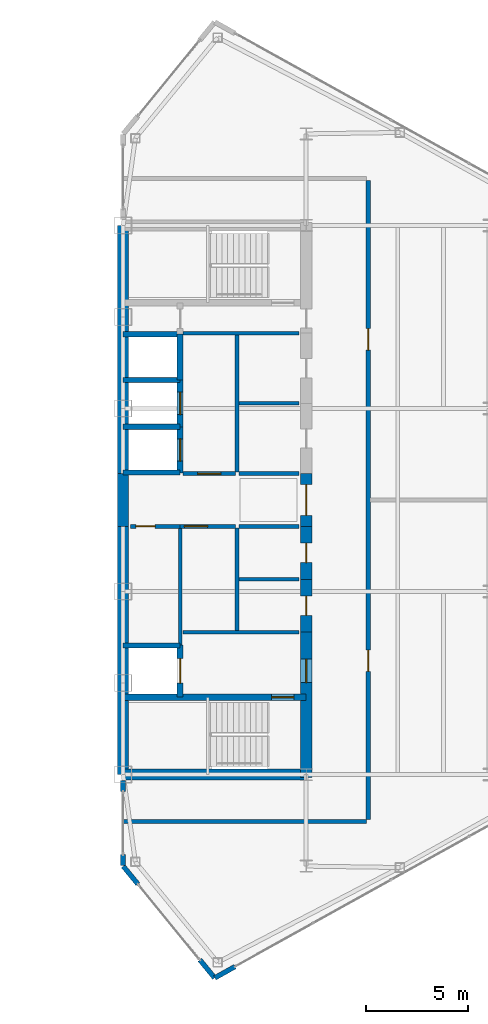
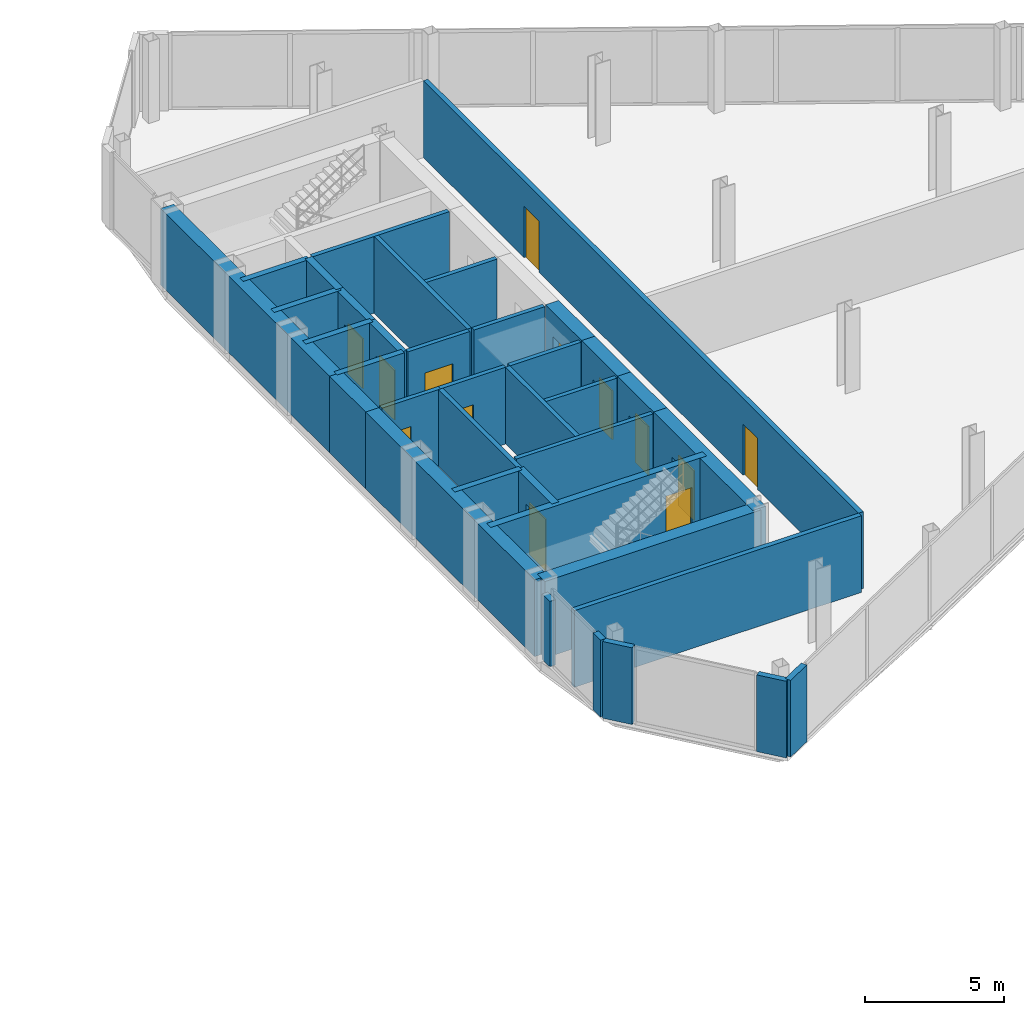
# One storey, part 22 of 26: 37 walls, 13 doors, 13 openings.
"""IFC4 building model written with IfcOpenShell, lengths in metres."""

from ifc_helpers import new_model, si_unit, direction, frame, frame_2d, origin, place, context, subcontext, project, spatial, rectangle, extrude, source, transform, mapped, material, layer, layer_set, type_object, type_shapes, element, fill, save


model = new_model("IFC4")

# Units and contexts
model_context = context("Model", 3, precision=1e-05, world=origin(), true_north=direction((0.0, 1.0)))
body_context = subcontext(model_context, "Body", "Model", "MODEL_VIEW")
ifc_project = project(units=[si_unit("LENGTHUNIT", "METRE"), si_unit("AREAUNIT", "SQUARE_METRE"), si_unit("VOLUMEUNIT", "CUBIC_METRE"), si_unit("PLANEANGLEUNIT", "RADIAN"), si_unit("MASSUNIT", "GRAM", prefix="KILO")], contexts=[model_context])

# Site, building, storey
site_placement = place(None, origin())
site = spatial("IfcSite", under=ifc_project, at=site_placement, CompositionType="ELEMENT")
building_placement = place(site_placement, origin())
building = spatial("IfcBuilding", under=site, at=building_placement, Name="Seokmaru Belvedere", CompositionType="ELEMENT")
storey_placement = place(building_placement, frame((0.0, 0.0, 177.89990234375)))
storey = spatial("IfcBuildingStorey", under=building, at=storey_placement, Name="L47", CompositionType="ELEMENT", Elevation=177.89990234375)

# Walls
ifc_material_1 = material(Name="Fire-Rated Gypsum Shaftwall")
ifc_layer_1 = layer(ifc_material_1, 0.179931640625)
ifc_layer_set_1 = layer_set([ifc_layer_1], Name="Fire-Rated Gypsum Shaftwall")
wall_type_1 = type_object("IfcWallType", Name="Core Service Fire Partition 180", PredefinedType="PARTITIONING", material=ifc_layer_set_1)
for number, where, z_axis, x_axis, name in (
    (1, (30.449951171875, -6.5, 0.0), (0.0, 0.0, 1.0), (1.0, 0.0, 0.0), "L47 East Firefighting Lobby Partition"),
    (2, (30.449951171875, 8.199951171875, 0.0), (0.0, 0.0, 1.0), (1.0, 0.0, 0.0), "L47 East Smokeproof Vestibule Partition"),
):
    element("IfcWall", number, at=place(storey_placement, frame(where, z_axis=z_axis, x_axis=x_axis)), inside=storey, type_object=wall_type_1, Name=name, PredefinedType="PARTITIONING", context=body_context, shape_type="SweptSolid", body=[
        extrude(rectangle(XDim=5.699951171875, YDim=0.179931640625, at=frame_2d((2.85009765625, 0.0))), origin(), (0.0, 0.0, 1.0), 3.380126953125),
    ])
wall_1_placement = place(storey_placement, frame((33.10009765625, -6.419921875, 0.0), z_axis=(0.0, 0.0, 1.0), x_axis=(0.0, 1.0, 0.0)))
element("IfcWall", 3, at=wall_1_placement, inside=storey, type_object=wall_type_1, Name="L47 East South Core Service Back Wall", PredefinedType="PARTITIONING", context=body_context, shape_type="SweptSolid", body=[
    extrude(rectangle(XDim=5.0400390625, YDim=0.179931640625, at=frame_2d((2.52001953125, 0.0))), origin(), (0.0, 0.0, 1.0), 3.380126953125),
])
wall_2_placement = place(storey_placement, frame((33.10009765625, 1.3798828125, 0.0), z_axis=(0.0, 0.0, 1.0), x_axis=(0.0, 1.0, 0.0)))
element("IfcWall", 4, at=wall_2_placement, inside=storey, type_object=wall_type_1, Name="L47 East North Core Service Back Wall", PredefinedType="PARTITIONING", context=body_context, shape_type="SweptSolid", body=[
    extrude(rectangle(XDim=6.740234375, YDim=0.179931640625, at=frame_2d((3.3701171875, 0.0))), origin(), (0.0, 0.0, 1.0), 3.380126953125),
])

# Wall, opening, door
wall_3_placement = place(storey_placement, frame((27.85009765625, -1.300048828125, 0.0), z_axis=(0.0, 0.0, 1.0), x_axis=(1.0, 0.0, 0.0)))
wall_3 = element("IfcWall", 5, at=wall_3_placement, inside=storey, type_object=wall_type_1, Name="L47 East South Parcel Vault Foyer Wall", PredefinedType="PARTITIONING", context=body_context, shape_type="SweptSolid", body=[
    extrude(rectangle(XDim=2.449951171875, YDim=0.179931640625, at=frame_2d((1.22509765625, 0.0))), origin(), (0.0, 0.0, 1.0), 3.380126953125),
])
opening_1_placement = place(wall_3_placement, frame((0.27490234375, 0.0, 0.0)))
opening_1 = element("IfcOpeningElement", 6, at=opening_1_placement, cuts=wall_3, Name="Opening D04", PredefinedType="OPENING", context=body_context, shape_type="SweptSolid", body=[
    extrude(rectangle(XDim=0.949951171875, YDim=2.14990234375, at=frame_2d((0.47509765625, 1.074951171875))), frame((0.0, 0.10009765625, 0.0), z_axis=(0.0, -1.0, 0.0), x_axis=(1.0, 0.0, 0.0)), (0.0, 0.0, 1.0), 0.199951171875),
])
ifc_material_2 = material(Name="Fire-Rated Steel Leaf", Category="steel")
door_type_1 = type_object("IfcDoorType", Name="Core Service Room Fire Door 950x2150", OperationType="NOTDEFINED", PredefinedType="DOOR", material=ifc_material_2)
shared_shape_1 = source(origin(), body_context, "Body", "SweptSolid", [
    extrude(rectangle(XDim=0.949951171875, YDim=2.14990234375, at=frame_2d((0.47509765625, 1.074951171875))), frame((0.0, 0.02490234375, 0.0), z_axis=(0.0, -1.0, 0.0), x_axis=(1.0, 0.0, 0.0)), (0.0, 0.0, 1.0), 0.050048828125),
])
type_shapes(door_type_1, [shared_shape_1])
door_1_placement = place(opening_1_placement, origin())
door_1 = element("IfcDoor", 7, at=door_1_placement, inside=storey, type_object=door_type_1, Name="L47 East South Parcel Vault Door", OperationType="SINGLE_SWING_RIGHT", OverallHeight=2.14990234375, OverallWidth=0.949951171875, PredefinedType="DOOR", context=body_context, shape_type="MappedRepresentation", body=[
    mapped(shared_shape_1, transform((0.0, 0.0, 0.0), scale=1.0)),
])
fill(opening_1, door_1)

wall_4_placement = place(storey_placement, frame((30.300048828125, -1.300048828125, 0.0), z_axis=(0.0, 0.0, 1.0), x_axis=(1.0, 0.0, 0.0)))
wall_4 = element("IfcWall", 8, at=wall_4_placement, inside=storey, type_object=wall_type_1, Name="L47 East South Wine Cellar Foyer Wall", PredefinedType="PARTITIONING", context=body_context, shape_type="SweptSolid", body=[
    extrude(rectangle(XDim=2.719970703125, YDim=0.179931640625, at=frame_2d((1.35986328125, 0.0))), origin(), (0.0, 0.0, 1.0), 3.380126953125),
])
opening_2_placement = place(wall_4_placement, frame((0.2099609375, 0.0, 0.0)))
opening_2 = element("IfcOpeningElement", 9, at=opening_2_placement, cuts=wall_4, Name="Opening D02", PredefinedType="OPENING", context=body_context, shape_type="SweptSolid", body=[
    extrude(rectangle(XDim=1.14990234375, YDim=2.199951171875, at=frame_2d((0.574951171875, 1.10009765625))), frame((0.0, 0.10009765625, 0.0), z_axis=(0.0, -1.0, 0.0), x_axis=(1.0, 0.0, 0.0)), (0.0, 0.0, 1.0), 0.199951171875),
])
door_type_2 = type_object("IfcDoorType", Name="Lobby and Vestibule Fire Door 1150x2200", OperationType="NOTDEFINED", PredefinedType="DOOR", material=ifc_material_2)
shared_shape_2 = source(origin(), body_context, "Body", "SweptSolid", [
    extrude(rectangle(XDim=1.14990234375, YDim=2.199951171875, at=frame_2d((0.574951171875, 1.10009765625))), frame((0.0, 0.02490234375, 0.0), z_axis=(0.0, -1.0, 0.0), x_axis=(1.0, 0.0, 0.0)), (0.0, 0.0, 1.0), 0.050048828125),
])
type_shapes(door_type_2, [shared_shape_2])
door_2_placement = place(opening_2_placement, origin())
door_2 = element("IfcDoor", 10, at=door_2_placement, inside=storey, type_object=door_type_2, Name="L47 East South Core Foyer Door", OperationType="SINGLE_SWING_RIGHT", OverallHeight=2.199951171875, OverallWidth=1.14990234375, PredefinedType="DOOR", context=body_context, shape_type="MappedRepresentation", body=[
    mapped(shared_shape_2, transform((0.0, 0.0, 0.0), scale=1.0)),
])
fill(opening_2, door_2)

# Wall
wall_5_placement = place(storey_placement, frame((30.300048828125, -7.1201171875, 0.0), z_axis=(0.0, 0.0, 1.0), x_axis=(0.0, 1.0, 0.0)))
element("IfcWall", 11, at=wall_5_placement, inside=storey, type_object=wall_type_1, Name="L47 East Freed Shaft Vault Partition", PredefinedType="PARTITIONING", context=body_context, shape_type="SweptSolid", body=[
    extrude(rectangle(XDim=5.740234375, YDim=0.179931640625, at=frame_2d((2.8701171875, 0.0))), origin(), (0.0, 0.0, 1.0), 3.380126953125),
])

# Wall, opening, door
wall_6_placement = place(storey_placement, frame((30.449951171875, 1.300048828125, 0.0), z_axis=(0.0, 0.0, 1.0), x_axis=(1.0, 0.0, 0.0)))
wall_6 = element("IfcWall", 12, at=wall_6_placement, inside=storey, type_object=wall_type_1, Name="L47 East North Lift Lobby Foyer Wall", PredefinedType="PARTITIONING", context=body_context, shape_type="SweptSolid", body=[
    extrude(rectangle(XDim=2.570068359375, YDim=0.179931640625, at=frame_2d((1.28515625, 0.0))), origin(), (0.0, 0.0, 1.0), 3.380126953125),
])
opening_3_placement = place(wall_6_placement, frame((0.7099609375, 0.0, 0.0)))
opening_3 = element("IfcOpeningElement", 13, at=opening_3_placement, cuts=wall_6, Name="Opening D02", PredefinedType="OPENING", context=body_context, shape_type="SweptSolid", body=[
    extrude(rectangle(XDim=1.14990234375, YDim=2.199951171875, at=frame_2d((0.574951171875, 1.10009765625))), frame((0.0, 0.10009765625, 0.0), z_axis=(0.0, -1.0, 0.0), x_axis=(1.0, 0.0, 0.0)), (0.0, 0.0, 1.0), 0.199951171875),
])
door_3_placement = place(opening_3_placement, origin())
door_3 = element("IfcDoor", 14, at=door_3_placement, inside=storey, type_object=door_type_2, Name="L47 East North Lift Lobby Door", OperationType="SINGLE_SWING_LEFT", OverallHeight=2.199951171875, OverallWidth=1.14990234375, PredefinedType="DOOR", context=body_context, shape_type="MappedRepresentation", body=[
    mapped(shared_shape_2, transform((0.0, 0.0, 0.0), scale=1.0)),
])
fill(opening_3, door_3)

# Walls
for number, where, z_axis, x_axis, name in (
    (15, (33.199951171875, -1.300048828125, 0.0), (0.0, 0.0, 1.0), (1.0, 0.0, 0.0), "L47 East Foyer Side Wall S"),
    (16, (33.199951171875, 1.300048828125, 0.0), (0.0, 0.0, 1.0), (1.0, 0.0, 0.0), "L47 East Foyer Side Wall N"),
    (17, (33.199951171875, -3.89990234375, 0.0), (0.0, 0.0, 1.0), (1.0, 0.0, 0.0), "L47 East Core Service Partition 1"),
    (18, (33.199951171875, 4.75, 0.0), (0.0, 0.0, 1.0), (1.0, 0.0, 0.0), "L47 East Core Service Partition 2"),
):
    element("IfcWall", number, at=place(storey_placement, frame(where, z_axis=z_axis, x_axis=x_axis)), inside=storey, type_object=wall_type_1, Name=name, PredefinedType="PARTITIONING", context=body_context, shape_type="SweptSolid", body=[
        extrude(rectangle(XDim=2.949951171875, YDim=0.179931640625, at=frame_2d((1.47509765625, 0.0))), origin(), (0.0, 0.0, 1.0), 3.380126953125),
    ])
ifc_material_3 = material(Name="Concrete C50 (50 MPa)", Category="concrete")
ifc_layer_2 = layer(ifc_material_3, 0.25)
ifc_layer_set_2 = layer_set([ifc_layer_2], Name="Concrete C50 (50 MPa)")
wall_type_2 = type_object("IfcWallType", Name="Hoistway Transverse Concrete Divider Wall 250", PredefinedType="SHEAR", material=ifc_layer_set_2)
for number, where, z_axis, x_axis, name in (
    (19, (27.5, -7.14990234375, 0.0), (0.0, 0.0, 1.0), (1.0, 0.0, 0.0), "L47 East Hoistway Divider Core Wall 1"),
    (20, (27.5, 1.35009765625, 0.0), (0.0, 0.0, 1.0), (1.0, 0.0, 0.0), "L47 East Hoistway Divider Core Wall 2"),
    (21, (27.5, 3.60009765625, 0.0), (0.0, 0.0, 1.0), (1.0, 0.0, 0.0), "L47 East Hoistway Divider Core Wall 3"),
    (22, (27.5, 5.89990234375, 0.0), (0.0, 0.0, 1.0), (1.0, 0.0, 0.0), "L47 East Hoistway Divider Core Wall 4"),
    (23, (27.5, 8.14990234375, 0.0), (0.0, 0.0, 1.0), (1.0, 0.0, 0.0), "L47 East Hoistway Divider Core Wall 5"),
):
    element("IfcWall", number, at=place(storey_placement, frame(where, z_axis=z_axis, x_axis=x_axis)), inside=storey, type_object=wall_type_2, Name=name, PredefinedType="SHEAR", context=body_context, shape_type="SweptSolid", body=[
        extrude(rectangle(XDim=2.800048828125, YDim=0.25, at=frame_2d((1.39990234375, 0.0))), origin(), (0.0, 0.0, 1.0), 3.380126953125),
    ])
ifc_layer_3 = layer(ifc_material_1, 0.199951171875)
ifc_layer_set_3 = layer_set([ifc_layer_3], Name="Fire-Rated Gypsum Shaftwall")
wall_type_3 = type_object("IfcWallType", Name="Inter-Tenancy Fire Compartment Partition 200", PredefinedType="PARTITIONING", material=ifc_layer_set_3)
wall_7_placement = place(storey_placement, frame((27.5, -15.800048828125, 0.0), z_axis=(0.0, 0.0, 1.0), x_axis=(1.0, 0.0, 0.0)))
element("IfcWall", 24, at=wall_7_placement, inside=storey, type_object=wall_type_3, Name="L47 Interior Partition 003", PredefinedType="PARTITIONING", context=body_context, shape_type="SweptSolid", body=[
    extrude(rectangle(XDim=11.965087890625, YDim=0.199951171875, at=frame_2d((5.982421875, 0.0))), origin(), (0.0, 0.0, 1.0), 3.380126953125),
])

# Wall, openings, doors
wall_8_placement = place(storey_placement, frame((39.550048828125, -15.715087890625, 0.0), z_axis=(0.0, 0.0, 1.0), x_axis=(0.0, 1.0, 0.0)))
wall_8 = element("IfcWall", 25, at=wall_8_placement, inside=storey, type_object=wall_type_3, Name="L47 Interior Partition 024", PredefinedType="PARTITIONING", context=body_context, shape_type="SweptSolid", body=[
    extrude(rectangle(XDim=31.43017578125, YDim=0.199951171875, at=frame_2d((15.715087890625, 0.0))), origin(), (0.0, 0.0, 1.0), 3.380126953125),
])
opening_4_placement = place(wall_8_placement, frame((7.2900390625, 0.0, 0.0)))
opening_4 = element("IfcOpeningElement", 26, at=opening_4_placement, cuts=wall_8, Name="Opening D03", PredefinedType="OPENING", context=body_context, shape_type="SweptSolid", body=[
    extrude(rectangle(XDim=1.050048828125, YDim=2.25, at=frame_2d((0.52490234375, 1.125))), frame((0.0, 0.10986328125, 0.0), z_axis=(0.0, -1.0, 0.0), x_axis=(1.0, 0.0, 0.0)), (0.0, 0.0, 1.0), 0.219970703125),
])
opening_5_placement = place(wall_8_placement, frame((23.090087890625, 0.0, 0.0)))
opening_5 = element("IfcOpeningElement", 27, at=opening_5_placement, cuts=wall_8, Name="Opening D03", PredefinedType="OPENING", context=body_context, shape_type="SweptSolid", body=[
    extrude(rectangle(XDim=1.050048828125, YDim=2.25, at=frame_2d((0.52490234375, 1.125))), frame((0.0, 0.10986328125, 0.0), z_axis=(0.0, -1.0, 0.0), x_axis=(1.0, 0.0, 0.0)), (0.0, 0.0, 1.0), 0.219970703125),
])
door_type_3 = type_object("IfcDoorType", Name="Apartment Entrance Fire Door 1050x2250", OperationType="NOTDEFINED", PredefinedType="DOOR", material=ifc_material_2)
shared_shape_3 = source(origin(), body_context, "Body", "SweptSolid", [
    extrude(rectangle(XDim=1.050048828125, YDim=2.25, at=frame_2d((0.52490234375, 1.125))), frame((0.0, 0.02490234375, 0.0), z_axis=(0.0, -1.0, 0.0), x_axis=(1.0, 0.0, 0.0)), (0.0, 0.0, 1.0), 0.050048828125),
])
type_shapes(door_type_3, [shared_shape_3])
door_4_placement = place(opening_4_placement, origin())
door_4 = element("IfcDoor", 28, at=door_4_placement, inside=storey, type_object=door_type_3, Name="L47 Interior Door 020", OperationType="SINGLE_SWING_LEFT", OverallHeight=2.25, OverallWidth=1.050048828125, PredefinedType="DOOR", context=body_context, shape_type="MappedRepresentation", body=[
    mapped(shared_shape_3, transform((0.0, 0.0, 0.0), scale=1.0)),
])
fill(opening_4, door_4)
door_5_placement = place(opening_5_placement, origin())
door_5 = element("IfcDoor", 29, at=door_5_placement, inside=storey, type_object=door_type_3, Name="L47 Interior Door 021", OperationType="SINGLE_SWING_RIGHT", OverallHeight=2.25, OverallWidth=1.050048828125, PredefinedType="DOOR", context=body_context, shape_type="MappedRepresentation", body=[
    mapped(shared_shape_3, transform((0.0, 0.0, 0.0), scale=1.0)),
])
fill(opening_5, door_5)

# Wall, opening, door
ifc_layer_4 = layer(ifc_material_3, 0.300048828125)
ifc_layer_set_4 = layer_set([ifc_layer_4], Name="Concrete C50 (50 MPa)")
wall_type_4 = type_object("IfcWallType", Name="Internal Core Stair and Hoistway Wall 300", PredefinedType="SHEAR", material=ifc_layer_set_4)
wall_9_placement = place(storey_placement, frame((27.5, -9.699951171875, 0.0), z_axis=(0.0, 0.0, 1.0), x_axis=(1.0, 0.0, 0.0)))
wall_9 = element("IfcWall", 30, at=wall_9_placement, inside=storey, type_object=wall_type_4, Name="L47 East Stair ST-1 Enclosure Wall", PredefinedType="SHEAR", context=body_context, shape_type="SweptSolid", body=[
    extrude(rectangle(XDim=9.0, YDim=0.300048828125, at=frame_2d((4.5, 0.0))), origin(), (0.0, 0.0, 1.0), 3.380126953125),
])
opening_6_placement = place(wall_9_placement, frame((7.300048828125, 0.0, 0.0)))
opening_6 = element("IfcOpeningElement", 31, at=opening_6_placement, cuts=wall_9, Name="Opening D01", PredefinedType="OPENING", context=body_context, shape_type="SweptSolid", body=[
    extrude(rectangle(XDim=1.10009765625, YDim=2.199951171875, at=frame_2d((0.550048828125, 1.10009765625))), frame((0.0, 0.16015625, 0.0), z_axis=(0.0, -1.0, 0.0), x_axis=(1.0, 0.0, 0.0)), (0.0, 0.0, 1.0), 0.320068359375),
])
door_type_4 = type_object("IfcDoorType", Name="Special Escape Stair Smokeproof Fire Door 1100x2200", OperationType="NOTDEFINED", PredefinedType="DOOR", material=ifc_material_2)
shared_shape_4 = source(origin(), body_context, "Body", "SweptSolid", [
    extrude(rectangle(XDim=1.10009765625, YDim=2.199951171875, at=frame_2d((0.550048828125, 1.10009765625))), frame((0.0, 0.02490234375, 0.0), z_axis=(0.0, -1.0, 0.0), x_axis=(1.0, 0.0, 0.0)), (0.0, 0.0, 1.0), 0.050048828125),
])
type_shapes(door_type_4, [shared_shape_4])
door_6_placement = place(opening_6_placement, frame((1.10009765625, 0.0, 0.0), z_axis=(0.0, 0.0, 1.0), x_axis=(-1.0, 0.0, 0.0)))
door_6 = element("IfcDoor", 32, at=door_6_placement, inside=storey, type_object=door_type_4, Name="L47 East Special Escape Stair ST-1 Door", OperationType="SINGLE_SWING_RIGHT", OverallHeight=2.199951171875, OverallWidth=1.10009765625, PredefinedType="DOOR", context=body_context, shape_type="MappedRepresentation", body=[
    mapped(shared_shape_4, transform((0.0, 0.0, 0.0), scale=1.0)),
])
fill(opening_6, door_6)

wall_10_placement = place(storey_placement, frame((30.300048828125, -9.679931640625, 0.0), z_axis=(0.0, 0.0, 1.0), x_axis=(0.0, 1.0, 0.0)))
wall_10 = element("IfcWall", 33, at=wall_10_placement, inside=storey, type_object=wall_type_4, Name="L47 East Firefighting Lift Shaft Front Wall", PredefinedType="SHEAR", context=body_context, shape_type="SweptSolid", body=[
    extrude(rectangle(XDim=2.559814453125, YDim=0.300048828125, at=frame_2d((1.27978515625, 0.0))), origin(), (0.0, 0.0, 1.0), 3.380126953125),
])
opening_7_placement = place(wall_10_placement, frame((0.679931640625, 0.0, 0.0)))
opening_7 = element("IfcOpeningElement", 34, at=opening_7_placement, cuts=wall_10, Name="Opening LD2", PredefinedType="OPENING", context=body_context, shape_type="SweptSolid", body=[
    extrude(rectangle(XDim=1.199951171875, YDim=2.25, at=frame_2d((0.60009765625, 1.125))), frame((0.0, 0.16015625, 0.0), z_axis=(0.0, -1.0, 0.0), x_axis=(1.0, 0.0, 0.0)), (0.0, 0.0, 1.0), 0.320068359375),
])
ifc_material_4 = material(Name="Stainless Steel 316", Category="steel")
door_type_5 = type_object("IfcDoorType", Name="Firefighting Lift Sliding Landing Door 1200x2250", OperationType="DOUBLE_DOOR_SLIDING", PredefinedType="DOOR", material=ifc_material_4)
shared_shape_5 = source(origin(), body_context, "Body", "SweptSolid", [
    extrude(rectangle(XDim=1.199951171875, YDim=2.25, at=frame_2d((0.60009765625, 1.125))), frame((0.0, 0.02490234375, 0.0), z_axis=(0.0, -1.0, 0.0), x_axis=(1.0, 0.0, 0.0)), (0.0, 0.0, 1.0), 0.050048828125),
])
type_shapes(door_type_5, [shared_shape_5])
door_7_placement = place(opening_7_placement, origin())
door_7 = element("IfcDoor", 35, at=door_7_placement, inside=storey, type_object=door_type_5, Name="L47 East Firefighting Lift Landing Door", OperationType="DOUBLE_DOOR_SLIDING", OverallHeight=2.25, OverallWidth=1.199951171875, PredefinedType="DOOR", context=body_context, shape_type="MappedRepresentation", body=[
    mapped(shared_shape_5, transform((0.0, 0.0, 0.0), scale=1.0)),
])
fill(opening_7, door_7)

wall_11_placement = place(storey_placement, frame((30.300048828125, 1.320068359375, 0.0), z_axis=(0.0, 0.0, 1.0), x_axis=(0.0, 1.0, 0.0)))
wall_11 = element("IfcWall", 36, at=wall_11_placement, inside=storey, type_object=wall_type_4, Name="L47 East North Hoistway Wall PH1", PredefinedType="SHEAR", context=body_context, shape_type="SweptSolid", body=[
    extrude(rectangle(XDim=2.280029296875, YDim=0.300048828125, at=frame_2d((1.14013671875, 0.0))), origin(), (0.0, 0.0, 1.0), 3.380126953125),
])
opening_8_placement = place(wall_11_placement, frame((0.590087890625, 0.0, 0.0)))
opening_8 = element("IfcOpeningElement", 37, at=opening_8_placement, cuts=wall_11, Name="Opening LD1", PredefinedType="OPENING", context=body_context, shape_type="SweptSolid", body=[
    extrude(rectangle(XDim=1.10009765625, YDim=2.199951171875, at=frame_2d((0.550048828125, 1.10009765625))), frame((0.0, 0.16015625, 0.0), z_axis=(0.0, -1.0, 0.0), x_axis=(1.0, 0.0, 0.0)), (0.0, 0.0, 1.0), 0.320068359375),
])
door_type_6 = type_object("IfcDoorType", Name="Passenger Lift Sliding Landing Door 1100x2200", OperationType="DOUBLE_DOOR_SLIDING", PredefinedType="DOOR", material=ifc_material_4)
shared_shape_6 = source(origin(), body_context, "Body", "SweptSolid", [
    extrude(rectangle(XDim=1.10009765625, YDim=2.199951171875, at=frame_2d((0.550048828125, 1.10009765625))), frame((0.0, 0.02490234375, 0.0), z_axis=(0.0, -1.0, 0.0), x_axis=(1.0, 0.0, 0.0)), (0.0, 0.0, 1.0), 0.050048828125),
])
type_shapes(door_type_6, [shared_shape_6])
door_8_placement = place(opening_8_placement, origin())
door_8 = element("IfcDoor", 38, at=door_8_placement, inside=storey, type_object=door_type_6, Name="L47 East High-Rise Lift PH-1 Landing Door", OperationType="DOUBLE_DOOR_SLIDING", OverallHeight=2.199951171875, OverallWidth=1.10009765625, PredefinedType="DOOR", context=body_context, shape_type="MappedRepresentation", body=[
    mapped(shared_shape_6, transform((0.0, 0.0, 0.0), scale=1.0)),
])
fill(opening_8, door_8)

wall_12_placement = place(storey_placement, frame((30.300048828125, 3.60009765625, 0.0), z_axis=(0.0, 0.0, 1.0), x_axis=(0.0, 1.0, 0.0)))
wall_12 = element("IfcWall", 39, at=wall_12_placement, inside=storey, type_object=wall_type_4, Name="L47 East North Hoistway Wall PH2", PredefinedType="SHEAR", context=body_context, shape_type="SweptSolid", body=[
    extrude(rectangle(XDim=2.2998046875, YDim=0.300048828125, at=frame_2d((1.14990234375, 0.0))), origin(), (0.0, 0.0, 1.0), 3.380126953125),
])
opening_9_placement = place(wall_12_placement, frame((0.60009765625, 0.0, 0.0)))
opening_9 = element("IfcOpeningElement", 40, at=opening_9_placement, cuts=wall_12, Name="Opening LD1", PredefinedType="OPENING", context=body_context, shape_type="SweptSolid", body=[
    extrude(rectangle(XDim=1.10009765625, YDim=2.199951171875, at=frame_2d((0.550048828125, 1.10009765625))), frame((0.0, 0.16015625, 0.0), z_axis=(0.0, -1.0, 0.0), x_axis=(1.0, 0.0, 0.0)), (0.0, 0.0, 1.0), 0.320068359375),
])
door_9_placement = place(opening_9_placement, origin())
door_9 = element("IfcDoor", 41, at=door_9_placement, inside=storey, type_object=door_type_6, Name="L47 East High-Rise Lift PH-2 Landing Door", OperationType="DOUBLE_DOOR_SLIDING", OverallHeight=2.199951171875, OverallWidth=1.10009765625, PredefinedType="DOOR", context=body_context, shape_type="MappedRepresentation", body=[
    mapped(shared_shape_6, transform((0.0, 0.0, 0.0), scale=1.0)),
])
fill(opening_9, door_9)

# Walls
wall_13_placement = place(storey_placement, frame((30.300048828125, 5.89990234375, 0.0), z_axis=(0.0, 0.0, 1.0), x_axis=(0.0, 1.0, 0.0)))
element("IfcWall", 42, at=wall_13_placement, inside=storey, type_object=wall_type_4, Name="L47 East North Hoistway Wall OBS", PredefinedType="SHEAR", context=body_context, shape_type="SweptSolid", body=[
    extrude(rectangle(XDim=2.25, YDim=0.300048828125, at=frame_2d((1.125, 0.0))), origin(), (0.0, 0.0, 1.0), 3.380126953125),
])
ifc_layer_5 = layer(ifc_material_3, 0.550048828125)
ifc_layer_set_5 = layer_set([ifc_layer_5], Name="Concrete C50 (50 MPa)")
wall_type_5 = type_object("IfcWallType", Name="Mid-High Reinforced Concrete Core Wall 550", PredefinedType="SHEAR", material=ifc_layer_set_5)
for number, where, z_axis, x_axis, name in (
    (43, (27.5, -13.5, 0.0), (0.0, 0.0, 1.0), (0.0, 1.0, 0.0), "L47 East Portal Spine Core Wall South"),
    (44, (27.5, 1.300048828125, 0.0), (0.0, 0.0, 1.0), (0.0, 1.0, 0.0), "L47 East Portal Spine Core Wall North"),
):
    element("IfcWall", number, at=place(storey_placement, frame(where, z_axis=z_axis, x_axis=x_axis)), inside=storey, type_object=wall_type_5, Name=name, PredefinedType="SHEAR", context=body_context, shape_type="SweptSolid", body=[
        extrude(rectangle(XDim=12.199951171875, YDim=0.550048828125, at=frame_2d((6.10009765625, 0.0))), origin(), (0.0, 0.0, 1.0), 3.380126953125),
    ])
wall_14_placement = place(storey_placement, frame((27.5, -1.300048828125, 0.0), z_axis=(0.0, 0.0, 1.0), x_axis=(0.0, 1.0, 0.0)))
element("IfcWall", 45, at=wall_14_placement, inside=storey, type_object=wall_type_5, Name="L47 East Portal Spine Core Wall Center", PredefinedType="SHEAR", context=body_context, shape_type="SweptSolid", body=[
    extrude(rectangle(XDim=2.60009765625, YDim=0.550048828125, at=frame_2d((1.300048828125, 0.0))), origin(), (0.0, 0.0, 1.0), 3.380126953125),
])
wall_15_placement = place(storey_placement, frame((27.5, -13.5, 0.0), z_axis=(0.0, 0.0, 1.0), x_axis=(1.0, 0.0, 0.0)))
element("IfcWall", 46, at=wall_15_placement, inside=storey, type_object=wall_type_5, Name="L47 East South Core Wall", PredefinedType="SHEAR", context=body_context, shape_type="SweptSolid", body=[
    extrude(rectangle(XDim=9.0, YDim=0.550048828125, at=frame_2d((4.5, 0.0))), origin(), (0.0, 0.0, 1.0), 3.380126953125),
])

# Wall, opening, door
wall_16_placement = place(storey_placement, frame((36.5, -13.64990234375, 0.0), z_axis=(0.0, 0.0, 1.0), x_axis=(0.0, 1.0, 0.0)))
wall_16 = element("IfcWall", 47, at=wall_16_placement, inside=storey, type_object=wall_type_5, Name="L47 East West Core Wall FF", PredefinedType="SHEAR", context=body_context, shape_type="SweptSolid", body=[
    extrude(rectangle(XDim=7.14990234375, YDim=0.550048828125, at=frame_2d((3.574951171875, 0.0))), origin(), (0.0, 0.0, 1.0), 3.380126953125),
])
opening_10_placement = place(wall_16_placement, frame((4.675048828125, 0.0, 0.0)))
opening_10 = element("IfcOpeningElement", 48, at=opening_10_placement, cuts=wall_16, Name="Opening D02", PredefinedType="OPENING", context=body_context, shape_type="SweptSolid", body=[
    extrude(rectangle(XDim=1.14990234375, YDim=2.199951171875, at=frame_2d((0.574951171875, 1.10009765625))), frame((0.0, 0.28515625, 0.0), z_axis=(0.0, -1.0, 0.0), x_axis=(1.0, 0.0, 0.0)), (0.0, 0.0, 1.0), 0.570068359375),
])
door_10_placement = place(opening_10_placement, origin())
door_10 = element("IfcDoor", 49, at=door_10_placement, inside=storey, type_object=door_type_2, Name="L47 East Firefighting Lobby Door", OperationType="SINGLE_SWING_RIGHT", OverallHeight=2.199951171875, OverallWidth=1.14990234375, PredefinedType="DOOR", context=body_context, shape_type="MappedRepresentation", body=[
    mapped(shared_shape_2, transform((0.0, 0.0, 0.0), scale=1.0)),
])
fill(opening_10, door_10)

wall_17_placement = place(storey_placement, frame((36.5, -1.300048828125, 0.0), z_axis=(0.0, 0.0, 1.0), x_axis=(0.0, 1.0, 0.0)))
wall_17 = element("IfcWall", 50, at=wall_17_placement, inside=storey, type_object=wall_type_5, Name="L47 East West Core Wall FOY", PredefinedType="SHEAR", context=body_context, shape_type="SweptSolid", body=[
    extrude(rectangle(XDim=2.60009765625, YDim=0.550048828125, at=frame_2d((1.300048828125, 0.0))), origin(), (0.0, 0.0, 1.0), 3.380126953125),
])
opening_11_placement = place(wall_17_placement, frame((0.550048828125, 0.0, 0.0)))
opening_11 = element("IfcOpeningElement", 51, at=opening_11_placement, cuts=wall_17, Name="Opening D08", PredefinedType="OPENING", context=body_context, shape_type="SweptSolid", body=[
    extrude(rectangle(XDim=1.5, YDim=2.300048828125, at=frame_2d((0.75, 1.14990234375))), frame((0.0, 0.28515625, 0.0), z_axis=(0.0, -1.0, 0.0), x_axis=(1.0, 0.0, 0.0)), (0.0, 0.0, 1.0), 0.570068359375),
])
door_type_7 = type_object("IfcDoorType", Name="Cross-Corridor Compartment Double Fire Door 1500x2300", OperationType="DOUBLE_SWING_LEFT", PredefinedType="DOOR", material=ifc_material_2)
shared_shape_7 = source(origin(), body_context, "Body", "SweptSolid", [
    extrude(rectangle(XDim=1.5, YDim=2.300048828125, at=frame_2d((0.75, 1.14990234375))), frame((0.0, 0.02490234375, 0.0), z_axis=(0.0, -1.0, 0.0), x_axis=(1.0, 0.0, 0.0)), (0.0, 0.0, 1.0), 0.050048828125),
])
type_shapes(door_type_7, [shared_shape_7])
door_11_placement = place(opening_11_placement, origin())
door_11 = element("IfcDoor", 52, at=door_11_placement, inside=storey, type_object=door_type_7, Name="L47 East Core Foyer Compartment Door", OperationType="DOUBLE_SWING_LEFT", OverallHeight=2.300048828125, OverallWidth=1.5, PredefinedType="DOOR", context=body_context, shape_type="MappedRepresentation", body=[
    mapped(shared_shape_7, transform((0.0, 0.0, 0.0), scale=1.0)),
])
fill(opening_11, door_11)

wall_18_placement = place(storey_placement, frame((36.5, -6.5, 0.0), z_axis=(0.0, 0.0, 1.0), x_axis=(0.0, 1.0, 0.0)))
wall_18 = element("IfcWall", 53, at=wall_18_placement, inside=storey, type_object=wall_type_5, Name="L47 East West Core Wall CS1", PredefinedType="SHEAR", context=body_context, shape_type="SweptSolid", body=[
    extrude(rectangle(XDim=2.60009765625, YDim=0.550048828125, at=frame_2d((1.300048828125, 0.0))), origin(), (0.0, 0.0, 1.0), 3.380126953125),
])
opening_12_placement = place(wall_18_placement, frame((0.824951171875, 0.0, 0.0)))
opening_12 = element("IfcOpeningElement", 54, at=opening_12_placement, cuts=wall_18, Name="Opening D04", PredefinedType="OPENING", context=body_context, shape_type="SweptSolid", body=[
    extrude(rectangle(XDim=0.949951171875, YDim=2.14990234375, at=frame_2d((0.47509765625, 1.074951171875))), frame((0.0, 0.28515625, 0.0), z_axis=(0.0, -1.0, 0.0), x_axis=(1.0, 0.0, 0.0)), (0.0, 0.0, 1.0), 0.570068359375),
])
door_12_placement = place(opening_12_placement, origin())
door_12 = element("IfcDoor", 55, at=door_12_placement, inside=storey, type_object=door_type_1, Name="L47 East Core Service Room Door 1", OperationType="SINGLE_SWING_RIGHT", OverallHeight=2.14990234375, OverallWidth=0.949951171875, PredefinedType="DOOR", context=body_context, shape_type="MappedRepresentation", body=[
    mapped(shared_shape_1, transform((0.0, 0.0, 0.0), scale=1.0)),
])
fill(opening_12, door_12)

wall_19_placement = place(storey_placement, frame((36.5, -3.89990234375, 0.0), z_axis=(0.0, 0.0, 1.0), x_axis=(0.0, 1.0, 0.0)))
wall_19 = element("IfcWall", 56, at=wall_19_placement, inside=storey, type_object=wall_type_5, Name="L47 East West Core Wall CS2", PredefinedType="SHEAR", context=body_context, shape_type="SweptSolid", body=[
    extrude(rectangle(XDim=2.599853515625, YDim=0.550048828125, at=frame_2d((1.2998046875, 0.0))), origin(), (0.0, 0.0, 1.0), 3.380126953125),
])
opening_13_placement = place(wall_19_placement, frame((0.824951171875, 0.0, 0.0)))
opening_13 = element("IfcOpeningElement", 57, at=opening_13_placement, cuts=wall_19, Name="Opening D04", PredefinedType="OPENING", context=body_context, shape_type="SweptSolid", body=[
    extrude(rectangle(XDim=0.949951171875, YDim=2.14990234375, at=frame_2d((0.47509765625, 1.074951171875))), frame((0.0, 0.28515625, 0.0), z_axis=(0.0, -1.0, 0.0), x_axis=(1.0, 0.0, 0.0)), (0.0, 0.0, 1.0), 0.570068359375),
])
door_13_placement = place(opening_13_placement, origin())
door_13 = element("IfcDoor", 58, at=door_13_placement, inside=storey, type_object=door_type_1, Name="L47 East Core Service Room Door 2", OperationType="SINGLE_SWING_LEFT", OverallHeight=2.14990234375, OverallWidth=0.949951171875, PredefinedType="DOOR", context=body_context, shape_type="MappedRepresentation", body=[
    mapped(shared_shape_1, transform((0.0, 0.0, 0.0), scale=1.0)),
])
fill(opening_13, door_13)

# Walls
ifc_material_5 = material(Name="Anodised Bronze Aluminium", Category="aluminium")
ifc_layer_6 = layer(ifc_material_5, 0.239990234375)
ifc_layer_set_6 = layer_set([ifc_layer_6], Name="Anodised Bronze Aluminium")
wall_type_6 = type_object("IfcWallType", Name="Tower Corner Spandrel Closure Wall 240", PredefinedType="SOLIDWALL", material=ifc_layer_set_6)
wall_20_placement = place(storey_placement, frame((32.0087890625, -23.4951171875, 0.0), z_axis=(0.0, 0.0, 1.0), x_axis=(0.87385402111, 0.486188389196, 0.0)))
element("IfcWall", 59, at=wall_20_placement, inside=storey, type_object=wall_type_6, Name="L47 E Corner Closure Pier 1A", PredefinedType="SOLIDWALL", context=body_context, shape_type="SweptSolid", body=[
    extrude(rectangle(XDim=1.139892578125, YDim=0.239990234375, at=frame_2d((0.56982421875, 0.0))), origin(), (0.0, 0.0, 1.0), 3.380126953125),
])
wall_21_placement = place(storey_placement, frame((27.5, -17.97998046875, 0.0), z_axis=(0.0, 0.0, 1.0), x_axis=(0.0, 1.0, 0.0)))
element("IfcWall", 60, at=wall_21_placement, inside=storey, type_object=wall_type_6, Name="L47 E Spine Closure Pier 1A", PredefinedType="SOLIDWALL", context=body_context, shape_type="SweptSolid", body=[
    extrude(rectangle(XDim=0.550048828125, YDim=0.239990234375, at=frame_2d((0.27490234375, 0.0))), origin(), (0.0, 0.0, 1.0), 3.380126953125),
])
wall_22_placement = place(storey_placement, frame((27.5, -14.330078125, 0.0), z_axis=(0.0, 0.0, 1.0), x_axis=(0.0, 1.0, 0.0)))
element("IfcWall", 61, at=wall_22_placement, inside=storey, type_object=wall_type_6, Name="L47 E Spine Closure Pier 1B", PredefinedType="SOLIDWALL", context=body_context, shape_type="SweptSolid", body=[
    extrude(rectangle(XDim=0.550048828125, YDim=0.239990234375, at=frame_2d((0.27490234375, 0.0))), origin(), (0.0, 0.0, 1.0), 2.880126953125),
])
for number, where, z_axis, x_axis, name in (
    (62, (27.50634765625, -18.0078125, 0.0), (0.0, 0.0, 1.0), (0.633249451965, -0.77394775766, 0.0), "L47 E Corner Closure Pier 6A"),
    (63, (31.271728515625, -22.60986328125, 0.0), (0.0, 0.0, 1.0), (0.633249451965, -0.77394775766, 0.0), "L47 E Corner Closure Pier 6B"),
):
    element("IfcWall", number, at=place(storey_placement, frame(where, z_axis=z_axis, x_axis=x_axis)), inside=storey, type_object=wall_type_6, Name=name, PredefinedType="SOLIDWALL", context=body_context, shape_type="SweptSolid", body=[
        extrude(rectangle(XDim=1.14013671875, YDim=0.239990234375, at=frame_2d((0.570068359375, 0.0))), origin(), (0.0, 0.0, 1.0), 3.380126953125),
    ])

save(model, "model.ifc")
